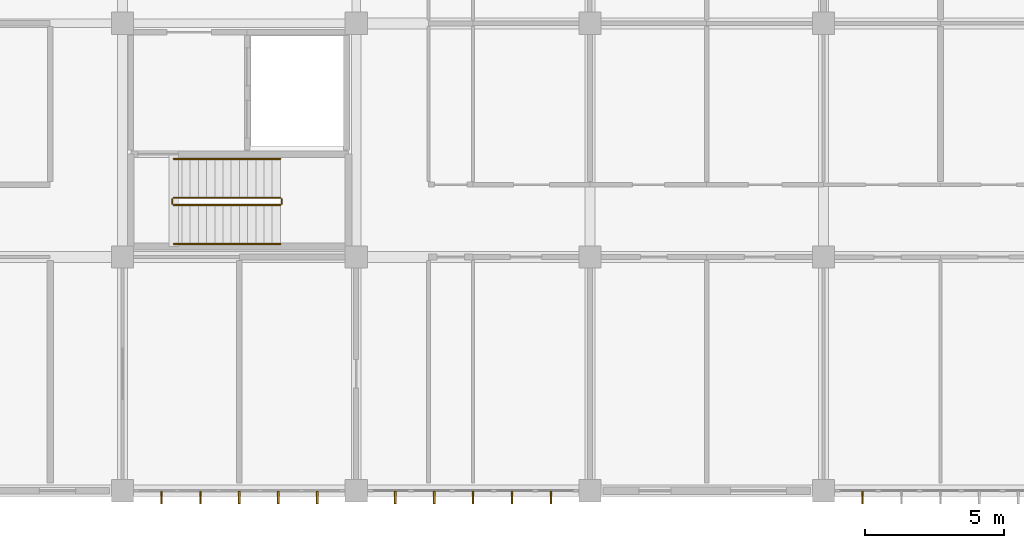
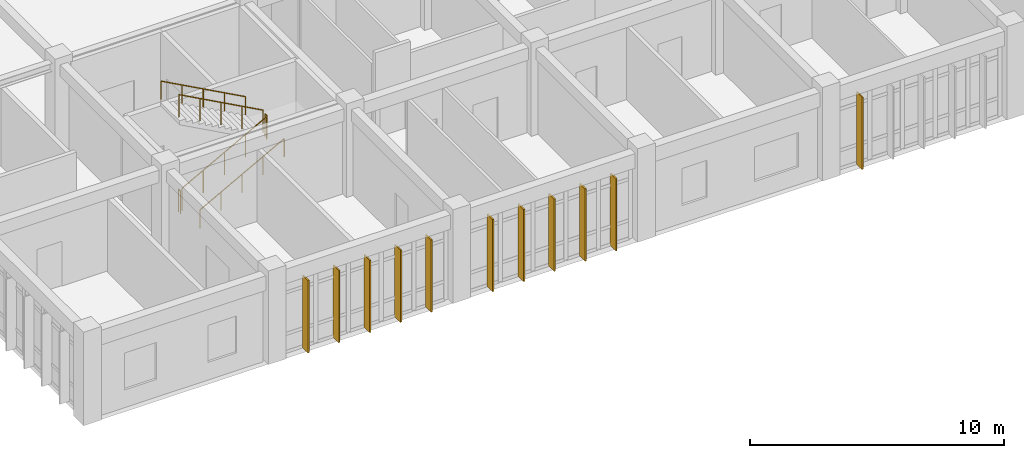
# One storey, part 128 of 144: 11 shading devices, 6 railings.
"""IFC4 building model written with IfcOpenShell, lengths in metres."""

from ifc_helpers import new_model, si_unit, direction, frame, origin, origin_2d, place, context, subcontext, project, spatial, rectangle, circle, extrude, material, material_profile, profile_set, type_object, element, save


model = new_model("IFC4")

# Units and contexts
model_context = context("Model", 3, precision=1e-05, world=origin(), true_north=direction((0.0, 1.0)))
body_context = subcontext(model_context, "Body", "Model", "MODEL_VIEW")
ifc_project = project(units=[si_unit("LENGTHUNIT", "METRE"), si_unit("AREAUNIT", "SQUARE_METRE"), si_unit("VOLUMEUNIT", "CUBIC_METRE"), si_unit("PLANEANGLEUNIT", "RADIAN"), si_unit("MASSUNIT", "GRAM", prefix="KILO")], contexts=[model_context])

# Site, building, storey
site_placement = place(None, origin())
site = spatial("IfcSite", under=ifc_project, at=site_placement, CompositionType="ELEMENT")
building_placement = place(site_placement, origin())
building = spatial("IfcBuilding", under=site, at=building_placement, Name="Bramfleet General Hospital", CompositionType="ELEMENT")
storey_placement = place(building_placement, frame((0.0, 0.0, 4.800048828125)))
storey = spatial("IfcBuildingStorey", under=building, at=storey_placement, Name="L01", CompositionType="ELEMENT", Elevation=4.800048828125)

# Railings
ifc_material_1 = material(Name="Powder-coated steel stair balustrade", Category="steel")
railing_type_1 = type_object("IfcRailingType", Name="RAIL-ST-GUARD", PredefinedType="GUARDRAIL", material=ifc_material_1)
railing_1_placement = place(storey_placement, frame((102.639892578125, 10.27001953125, 0.16064453125)))
element("IfcRailing", 1, at=railing_1_placement, inside=storey, type_object=railing_type_1, Name="L01 ST-C3 stair guard 1", PredefinedType="GUARDRAIL", context=body_context, shape_type="SweptSolid", body=[
    extrude(circle(Radius=0.02392578125, at=origin_2d()), frame((0.0, 0.0, 1.076171875), z_axis=(0.878143269688, 0.0, 0.478397740276), x_axis=(0.0, 1.0, 0.0)), (0.0, 0.0, 1.0), 4.367431640625),
    extrude(circle(Radius=0.02099609375, at=origin_2d()), origin(), (0.0, 0.0, 1.0), 1.052001953125),
    extrude(circle(Radius=0.02099609375, at=origin_2d()), frame((0.958740234375, 0.0, 0.5224609375)), (0.0, 0.0, 1.0), 1.052001953125),
    extrude(circle(Radius=0.02099609375, at=origin_2d()), frame((1.91748046875, 0.0, 1.044677734375)), (0.0, 0.0, 1.0), 1.052001953125),
    extrude(circle(Radius=0.02099609375, at=origin_2d()), frame((2.87646484375, 0.0, 1.56689453125)), (0.0, 0.0, 1.0), 1.052001953125),
    extrude(circle(Radius=0.02099609375, at=origin_2d()), frame((3.835205078125, 0.0, 2.08935546875)), (0.0, 0.0, 1.0), 1.052001953125),
])
railing_2_placement = place(storey_placement, frame((106.52490234375, 10.320068359375, 2.25)))
element("IfcRailing", 2, at=railing_2_placement, inside=storey, type_object=railing_type_1, Name="L01 ST-C3 stair guard 2", PredefinedType="GUARDRAIL", context=body_context, shape_type="SweptSolid", body=[
    extrude(circle(Radius=0.02392578125, at=origin_2d()), frame((0.0, 0.0, 1.076171875), z_axis=(0.0, 1.0, 0.0), x_axis=(-1.0, 0.0, 0.0)), (0.0, 0.0, 1.0), 0.159912109375),
    extrude(circle(Radius=0.02099609375, at=origin_2d()), origin(), (0.0, 0.0, 1.0), 1.052001953125),
    extrude(circle(Radius=0.02099609375, at=origin_2d()), frame((0.0, 0.159912109375, 0.0)), (0.0, 0.0, 1.0), 1.052001953125),
])
railing_3_placement = place(storey_placement, frame((106.47509765625, 10.530029296875, 2.41064453125)))
element("IfcRailing", 3, at=railing_3_placement, inside=storey, type_object=railing_type_1, Name="L01 ST-C3 stair guard 3", PredefinedType="GUARDRAIL", context=body_context, shape_type="SweptSolid", body=[
    extrude(circle(Radius=0.02392578125, at=origin_2d()), frame((0.0, 0.0, 1.076171875), z_axis=(-0.878143269688, 0.0, 0.478397740276), x_axis=(0.0, -1.0, 0.0)), (0.0, 0.0, 1.0), 4.367431640625),
    extrude(circle(Radius=0.02099609375, at=origin_2d()), origin(), (0.0, 0.0, 1.0), 1.052001953125),
    extrude(circle(Radius=0.02099609375, at=origin_2d()), frame((-0.958740234375, 0.0, 0.5224609375)), (0.0, 0.0, 1.0), 1.052001953125),
    extrude(circle(Radius=0.02099609375, at=origin_2d()), frame((-1.91748046875, 0.0, 1.044677734375)), (0.0, 0.0, 1.0), 1.052001953125),
    extrude(circle(Radius=0.02099609375, at=origin_2d()), frame((-2.87646484375, 0.0, 1.56689453125)), (0.0, 0.0, 1.0), 1.052001953125),
    extrude(circle(Radius=0.02099609375, at=origin_2d()), frame((-3.835205078125, 0.0, 2.08935546875)), (0.0, 0.0, 1.0), 1.052001953125),
])
railing_4_placement = place(storey_placement, frame((102.590087890625, 10.320068359375, 0.0)))
element("IfcRailing", 4, at=railing_4_placement, inside=storey, type_object=railing_type_1, Name="L01 ST-C3 stair guard 4", PredefinedType="GUARDRAIL", context=body_context, shape_type="SweptSolid", body=[
    extrude(circle(Radius=0.02392578125, at=origin_2d()), frame((0.0, 0.0, 1.076171875), z_axis=(0.0, 1.0, 0.0), x_axis=(-1.0, 0.0, 0.0)), (0.0, 0.0, 1.0), 0.159912109375),
    extrude(circle(Radius=0.02099609375, at=origin_2d()), origin(), (0.0, 0.0, 1.0), 1.052001953125),
    extrude(circle(Radius=0.02099609375, at=origin_2d()), frame((0.0, 0.159912109375, 0.0)), (0.0, 0.0, 1.0), 1.052001953125),
])
ifc_material_2 = material(Name="Stainless steel 1.4301 stair handrail", Category="steel")
railing_type_2 = type_object("IfcRailingType", Name="RAIL-ST-HND", PredefinedType="HANDRAIL", material=ifc_material_2)
railing_5_placement = place(storey_placement, frame((102.639892578125, 8.8701171875, 0.16064453125)))
element("IfcRailing", 5, at=railing_5_placement, inside=storey, type_object=railing_type_2, Name="L01 ST-C3 stair handrail 1", PredefinedType="HANDRAIL", context=body_context, shape_type="SweptSolid", body=[
    extrude(circle(Radius=0.02392578125, at=origin_2d()), frame((0.0, 0.0, 0.8759765625), z_axis=(0.878143269688, 0.0, 0.478397740276), x_axis=(0.0, 1.0, 0.0)), (0.0, 0.0, 1.0), 4.367431640625),
    extrude(circle(Radius=0.02099609375, at=origin_2d()), origin(), (0.0, 0.0, 1.0), 0.851806640625),
    extrude(circle(Radius=0.02099609375, at=origin_2d()), frame((0.958740234375, 0.0, 0.5224609375)), (0.0, 0.0, 1.0), 0.851806640625),
    extrude(circle(Radius=0.02099609375, at=origin_2d()), frame((1.91748046875, 0.0, 1.044677734375)), (0.0, 0.0, 1.0), 0.851806640625),
    extrude(circle(Radius=0.02099609375, at=origin_2d()), frame((2.87646484375, 0.0, 1.56689453125)), (0.0, 0.0, 1.0), 0.851806640625),
    extrude(circle(Radius=0.02099609375, at=origin_2d()), frame((3.835205078125, 0.0, 2.08935546875)), (0.0, 0.0, 1.0), 0.851806640625),
])
railing_6_placement = place(storey_placement, frame((106.47509765625, 11.929931640625, 2.41064453125)))
element("IfcRailing", 6, at=railing_6_placement, inside=storey, type_object=railing_type_2, Name="L01 ST-C3 stair handrail 2", PredefinedType="HANDRAIL", context=body_context, shape_type="SweptSolid", body=[
    extrude(circle(Radius=0.02392578125, at=origin_2d()), frame((0.0, 0.0, 0.8759765625), z_axis=(-0.878143269688, 0.0, 0.478397740276), x_axis=(0.0, -1.0, 0.0)), (0.0, 0.0, 1.0), 4.367431640625),
    extrude(circle(Radius=0.02099609375, at=origin_2d()), origin(), (0.0, 0.0, 1.0), 0.851806640625),
    extrude(circle(Radius=0.02099609375, at=origin_2d()), frame((-0.958740234375, 0.0, 0.5224609375)), (0.0, 0.0, 1.0), 0.851806640625),
    extrude(circle(Radius=0.02099609375, at=origin_2d()), frame((-1.91748046875, 0.0, 1.044677734375)), (0.0, 0.0, 1.0), 0.851806640625),
    extrude(circle(Radius=0.02099609375, at=origin_2d()), frame((-2.87646484375, 0.0, 1.56689453125)), (0.0, 0.0, 1.0), 0.851806640625),
    extrude(circle(Radius=0.02099609375, at=origin_2d()), frame((-3.835205078125, 0.0, 2.08935546875)), (0.0, 0.0, 1.0), 0.851806640625),
])

# Shading devices
ifc_material_3 = material(Name="Treated European larch timber", Category="wood")
ifc_material_profile = material_profile(ifc_material_3, rectangle(XDim=0.06494140625, YDim=0.449951171875, at=origin_2d()), Name="LARCH FIN 450x65")
ifc_profile_set = profile_set([ifc_material_profile], Name="Treated European larch timber")
shading_device_type = type_object("IfcShadingDeviceType", Name="SHD-FIN-450", PredefinedType="USERDEFINED", material=ifc_profile_set)
for number, where, z_axis, x_axis, name in (
    (7, (127.39990234375, -0.239990234375, -0.02001953125), (0.0, 0.0, 1.0), (-1.0, 0.0, 0.0), "L01 Larch Timber Shading Fin 290"),
    (8, (116.199951171875, -0.239990234375, -0.02001953125), (0.0, 0.0, 1.0), (-1.0, 0.0, 0.0), "L01 Larch Timber Shading Fin 291"),
    (9, (114.800048828125, -0.239990234375, -0.02001953125), (0.0, 0.0, 1.0), (-1.0, 0.0, 0.0), "L01 Larch Timber Shading Fin 292"),
    (10, (113.39990234375, -0.239990234375, -0.02001953125), (0.0, 0.0, 1.0), (-1.0, 0.0, 0.0), "L01 Larch Timber Shading Fin 293"),
    (11, (112.0, -0.239990234375, -0.02001953125), (0.0, 0.0, 1.0), (-1.0, 0.0, 0.0), "L01 Larch Timber Shading Fin 294"),
    (12, (110.60009765625, -0.239990234375, -0.02001953125), (0.0, 0.0, 1.0), (-1.0, 0.0, 0.0), "L01 Larch Timber Shading Fin 295"),
    (13, (107.800048828125, -0.239990234375, -0.02001953125), (0.0, 0.0, 1.0), (-1.0, 0.0, 0.0), "L01 Larch Timber Shading Fin 296"),
    (14, (106.39990234375, -0.239990234375, -0.02001953125), (0.0, 0.0, 1.0), (-1.0, 0.0, 0.0), "L01 Larch Timber Shading Fin 297"),
    (15, (105.0, -0.239990234375, -0.02001953125), (0.0, 0.0, 1.0), (-1.0, 0.0, 0.0), "L01 Larch Timber Shading Fin 298"),
    (16, (103.60009765625, -0.239990234375, -0.02001953125), (0.0, 0.0, 1.0), (-1.0, 0.0, 0.0), "L01 Larch Timber Shading Fin 299"),
    (17, (102.199951171875, -0.239990234375, -0.02001953125), (0.0, 0.0, 1.0), (-1.0, 0.0, 0.0), "L01 Larch Timber Shading Fin 300"),
):
    element("IfcShadingDevice", number, at=place(storey_placement, frame(where, z_axis=z_axis, x_axis=x_axis)), inside=storey, type_object=shading_device_type, Name=name, ObjectType="Fin", PredefinedType="USERDEFINED", context=body_context, shape_type="SweptSolid", body=[
        extrude(rectangle(XDim=0.06494140625, YDim=0.449951171875, at=origin_2d()), origin(), (0.0, 0.0, 1.0), 3.469970703125),
    ])

save(model, "model.ifc")
